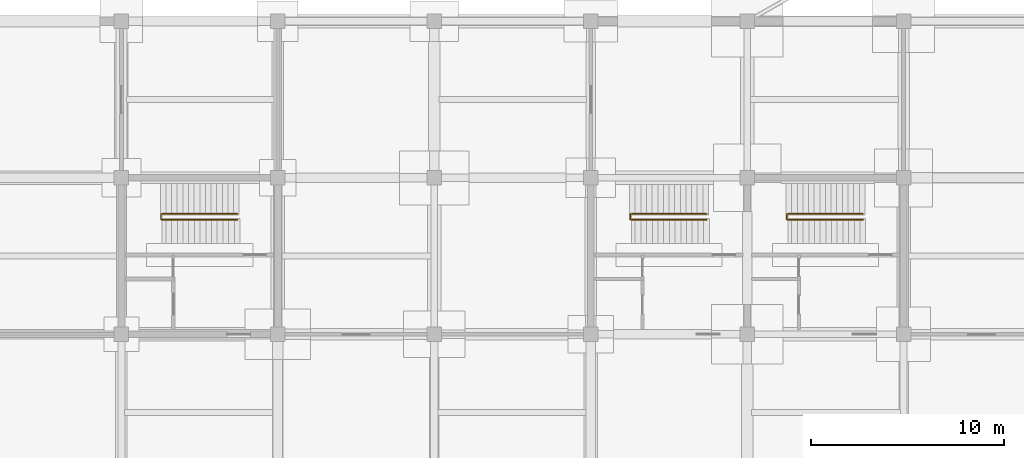
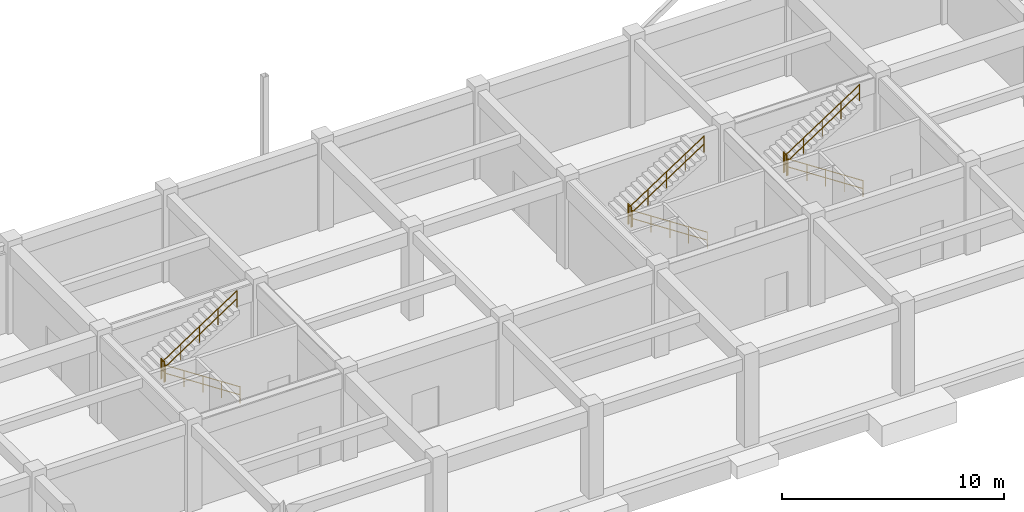
# One storey, part 63 of 67: 9 railings.
"""IFC4 building model written with IfcOpenShell, lengths in metres."""

from ifc_helpers import new_model, si_unit, direction, frame, origin, origin_2d, place, context, subcontext, project, spatial, circle, extrude, material, type_object, element, save


model = new_model("IFC4")

# Units and contexts
model_context = context("Model", 3, precision=1e-05, world=origin(), true_north=direction((0.0, 1.0)))
body_context = subcontext(model_context, "Body", "Model", "MODEL_VIEW")
ifc_project = project(units=[si_unit("LENGTHUNIT", "METRE"), si_unit("AREAUNIT", "SQUARE_METRE"), si_unit("VOLUMEUNIT", "CUBIC_METRE"), si_unit("PLANEANGLEUNIT", "RADIAN"), si_unit("MASSUNIT", "GRAM", prefix="KILO")], contexts=[model_context])

# Site, building, storey
site_placement = place(None, origin())
site = spatial("IfcSite", under=ifc_project, at=site_placement, CompositionType="ELEMENT")
building_placement = place(site_placement, origin())
building = spatial("IfcBuilding", under=site, at=building_placement, Name="Vaudrelin Polytechnic", CompositionType="ELEMENT")
storey_placement = place(building_placement, frame((0.0, 0.0, -5.10009765625)))
storey = spatial("IfcBuildingStorey", under=building, at=storey_placement, Name="B1", CompositionType="ELEMENT", Elevation=-5.10009765625)

# Railings
ifc_material = material(Name="Brushed stainless steel AISI 304", Category="steel")
railing_type_1 = type_object("IfcRailingType", Name="RAL-GR-INT", PredefinedType="GUARDRAIL", material=ifc_material)
for number, where, name in (
    (1, (83.050048828125, 111.239990234375, 2.550048828125), "ST-02-B1 landing well guardrail"),
    (2, (115.449951171875, 111.239990234375, 2.550048828125), "ST-10-B1 landing well guardrail"),
    (3, (107.35009765625, 111.239990234375, 2.550048828125), "ST-11-B1 landing well guardrail"),
):
    element("IfcRailing", number, at=place(storey_placement, frame(where)), inside=storey, type_object=railing_type_1, Name=name, PredefinedType="GUARDRAIL", context=body_context, shape_type="SweptSolid", body=[
        extrude(circle(Radius=0.02392578125, at=origin_2d()), frame((0.0, 0.023193359375, 1.09619140625), z_axis=(0.0, 1.0, 0.0), x_axis=(-1.0, 0.0, 0.0)), (0.0, 0.0, 1.0), 0.23388671875),
        extrude(circle(Radius=0.02392578125, at=origin_2d()), frame((0.0, 0.023193359375, 0.56005859375), z_axis=(0.0, 1.0, 0.0), x_axis=(-1.0, 0.0, 0.0)), (0.0, 0.0, 1.0), 0.23388671875),
        extrude(circle(Radius=0.02099609375, at=origin_2d()), origin(), (0.0, 0.0, 1.0), 1.1201171875),
        extrude(circle(Radius=0.02099609375, at=origin_2d()), frame((0.0, 0.280029296875, 0.0)), (0.0, 0.0, 1.0), 1.1201171875),
    ])
railing_type_2 = type_object("IfcRailingType", Name="RAL-HR-STR", PredefinedType="HANDRAIL", material=ifc_material)
railing_1_placement = place(storey_placement, frame((87.0, 111.22998046875, 0.0)))
element("IfcRailing", 4, at=railing_1_placement, inside=storey, type_object=railing_type_2, Name="ST-02-B1 flight 1 handrail", PredefinedType="HANDRAIL", context=body_context, shape_type="SweptSolid", body=[
    extrude(circle(Radius=0.02392578125, at=origin_2d()), frame((-0.019287109375, 0.0, 0.908447265625), z_axis=(-0.83631341276, 0.0, 0.548251653566), x_axis=(0.0, -1.0, 0.0)), (0.0, 0.0, 1.0), 4.60498046875),
    extrude(circle(Radius=0.02392578125, at=origin_2d()), frame((-0.019287109375, 0.0, 0.47265625), z_axis=(-0.83631341276, 0.0, 0.548251653566), x_axis=(0.0, -1.0, 0.0)), (0.0, 0.0, 1.0), 4.60498046875),
    extrude(circle(Radius=0.02099609375, at=origin_2d()), origin(), (0.0, 0.0, 1.0), 0.919921875),
    extrude(circle(Radius=0.02099609375, at=origin_2d()), frame((-0.972412109375, 0.0, 0.637451171875)), (0.0, 0.0, 1.0), 0.919921875),
    extrude(circle(Radius=0.02099609375, at=origin_2d()), frame((-1.94482421875, 0.0, 1.27490234375)), (0.0, 0.0, 1.0), 0.919921875),
    extrude(circle(Radius=0.02099609375, at=origin_2d()), frame((-2.91748046875, 0.0, 1.91259765625)), (0.0, 0.0, 1.0), 0.919921875),
    extrude(circle(Radius=0.02099609375, at=origin_2d()), frame((-3.889892578125, 0.0, 2.550048828125)), (0.0, 0.0, 1.0), 0.919921875),
])
railing_2_placement = place(storey_placement, frame((83.110107421875, 111.530029296875, 2.550048828125)))
element("IfcRailing", 5, at=railing_2_placement, inside=storey, type_object=railing_type_2, Name="ST-02-B1 flight 2 handrail", PredefinedType="HANDRAIL", context=body_context, shape_type="SweptSolid", body=[
    extrude(circle(Radius=0.02392578125, at=origin_2d()), frame((0.019287109375, 0.0, 0.908447265625), z_axis=(0.83631341276, 0.0, 0.548251653566), x_axis=(0.0, 1.0, 0.0)), (0.0, 0.0, 1.0), 4.60498046875),
    extrude(circle(Radius=0.02392578125, at=origin_2d()), frame((0.019287109375, 0.0, 0.47265625), z_axis=(0.83631341276, 0.0, 0.548251653566), x_axis=(0.0, 1.0, 0.0)), (0.0, 0.0, 1.0), 4.60498046875),
    extrude(circle(Radius=0.02099609375, at=origin_2d()), origin(), (0.0, 0.0, 1.0), 0.919921875),
    extrude(circle(Radius=0.02099609375, at=origin_2d()), frame((0.972412109375, 0.0, 0.637451171875)), (0.0, 0.0, 1.0), 0.919921875),
    extrude(circle(Radius=0.02099609375, at=origin_2d()), frame((1.94482421875, 0.0, 1.27490234375)), (0.0, 0.0, 1.0), 0.919921875),
    extrude(circle(Radius=0.02099609375, at=origin_2d()), frame((2.91748046875, 0.0, 1.91259765625)), (0.0, 0.0, 1.0), 0.919921875),
    extrude(circle(Radius=0.02099609375, at=origin_2d()), frame((3.889892578125, 0.0, 2.550048828125)), (0.0, 0.0, 1.0), 0.919921875),
])
railing_3_placement = place(storey_placement, frame((119.39990234375, 111.22998046875, 0.0)))
element("IfcRailing", 6, at=railing_3_placement, inside=storey, type_object=railing_type_2, Name="ST-10-B1 flight 1 handrail", PredefinedType="HANDRAIL", context=body_context, shape_type="SweptSolid", body=[
    extrude(circle(Radius=0.02392578125, at=origin_2d()), frame((-0.019287109375, 0.0, 0.908447265625), z_axis=(-0.83631341276, 0.0, 0.548251653566), x_axis=(0.0, -1.0, 0.0)), (0.0, 0.0, 1.0), 4.60498046875),
    extrude(circle(Radius=0.02392578125, at=origin_2d()), frame((-0.019287109375, 0.0, 0.47265625), z_axis=(-0.83631341276, 0.0, 0.548251653566), x_axis=(0.0, -1.0, 0.0)), (0.0, 0.0, 1.0), 4.60498046875),
    extrude(circle(Radius=0.02099609375, at=origin_2d()), origin(), (0.0, 0.0, 1.0), 0.919921875),
    extrude(circle(Radius=0.02099609375, at=origin_2d()), frame((-0.972412109375, 0.0, 0.637451171875)), (0.0, 0.0, 1.0), 0.919921875),
    extrude(circle(Radius=0.02099609375, at=origin_2d()), frame((-1.94482421875, 0.0, 1.27490234375)), (0.0, 0.0, 1.0), 0.919921875),
    extrude(circle(Radius=0.02099609375, at=origin_2d()), frame((-2.91748046875, 0.0, 1.91259765625)), (0.0, 0.0, 1.0), 0.919921875),
    extrude(circle(Radius=0.02099609375, at=origin_2d()), frame((-3.889892578125, 0.0, 2.550048828125)), (0.0, 0.0, 1.0), 0.919921875),
])
railing_4_placement = place(storey_placement, frame((115.510009765625, 111.530029296875, 2.550048828125)))
element("IfcRailing", 7, at=railing_4_placement, inside=storey, type_object=railing_type_2, Name="ST-10-B1 flight 2 handrail", PredefinedType="HANDRAIL", context=body_context, shape_type="SweptSolid", body=[
    extrude(circle(Radius=0.02392578125, at=origin_2d()), frame((0.019287109375, 0.0, 0.908447265625), z_axis=(0.83631341276, 0.0, 0.548251653566), x_axis=(0.0, 1.0, 0.0)), (0.0, 0.0, 1.0), 4.60498046875),
    extrude(circle(Radius=0.02392578125, at=origin_2d()), frame((0.019287109375, 0.0, 0.47265625), z_axis=(0.83631341276, 0.0, 0.548251653566), x_axis=(0.0, 1.0, 0.0)), (0.0, 0.0, 1.0), 4.60498046875),
    extrude(circle(Radius=0.02099609375, at=origin_2d()), origin(), (0.0, 0.0, 1.0), 0.919921875),
    extrude(circle(Radius=0.02099609375, at=origin_2d()), frame((0.972412109375, 0.0, 0.637451171875)), (0.0, 0.0, 1.0), 0.919921875),
    extrude(circle(Radius=0.02099609375, at=origin_2d()), frame((1.94482421875, 0.0, 1.27490234375)), (0.0, 0.0, 1.0), 0.919921875),
    extrude(circle(Radius=0.02099609375, at=origin_2d()), frame((2.91748046875, 0.0, 1.91259765625)), (0.0, 0.0, 1.0), 0.919921875),
    extrude(circle(Radius=0.02099609375, at=origin_2d()), frame((3.889892578125, 0.0, 2.550048828125)), (0.0, 0.0, 1.0), 0.919921875),
])
railing_5_placement = place(storey_placement, frame((111.300048828125, 111.22998046875, 0.0)))
element("IfcRailing", 8, at=railing_5_placement, inside=storey, type_object=railing_type_2, Name="ST-11-B1 flight 1 handrail", PredefinedType="HANDRAIL", context=body_context, shape_type="SweptSolid", body=[
    extrude(circle(Radius=0.02392578125, at=origin_2d()), frame((-0.019287109375, 0.0, 0.908447265625), z_axis=(-0.836329188974, 0.0, 0.548227587476), x_axis=(0.0, -1.0, 0.0)), (0.0, 0.0, 1.0), 4.605224609375),
    extrude(circle(Radius=0.02392578125, at=origin_2d()), frame((-0.019287109375, 0.0, 0.47265625), z_axis=(-0.836329188974, 0.0, 0.548227587476), x_axis=(0.0, -1.0, 0.0)), (0.0, 0.0, 1.0), 4.605224609375),
    extrude(circle(Radius=0.02099609375, at=origin_2d()), origin(), (0.0, 0.0, 1.0), 0.919921875),
    extrude(circle(Radius=0.02099609375, at=origin_2d()), frame((-0.97265625, 0.0, 0.637451171875)), (0.0, 0.0, 1.0), 0.919921875),
    extrude(circle(Radius=0.02099609375, at=origin_2d()), frame((-1.945068359375, 0.0, 1.27490234375)), (0.0, 0.0, 1.0), 0.919921875),
    extrude(circle(Radius=0.02099609375, at=origin_2d()), frame((-2.91748046875, 0.0, 1.91259765625)), (0.0, 0.0, 1.0), 0.919921875),
    extrude(circle(Radius=0.02099609375, at=origin_2d()), frame((-3.89013671875, 0.0, 2.550048828125)), (0.0, 0.0, 1.0), 0.919921875),
])
railing_6_placement = place(storey_placement, frame((107.409912109375, 111.530029296875, 2.550048828125)))
element("IfcRailing", 9, at=railing_6_placement, inside=storey, type_object=railing_type_2, Name="ST-11-B1 flight 2 handrail", PredefinedType="HANDRAIL", context=body_context, shape_type="SweptSolid", body=[
    extrude(circle(Radius=0.02392578125, at=origin_2d()), frame((0.019287109375, 0.0, 0.908447265625), z_axis=(0.836329188974, 0.0, 0.548227587476), x_axis=(0.0, 1.0, 0.0)), (0.0, 0.0, 1.0), 4.605224609375),
    extrude(circle(Radius=0.02392578125, at=origin_2d()), frame((0.019287109375, 0.0, 0.47265625), z_axis=(0.836329188974, 0.0, 0.548227587476), x_axis=(0.0, 1.0, 0.0)), (0.0, 0.0, 1.0), 4.605224609375),
    extrude(circle(Radius=0.02099609375, at=origin_2d()), origin(), (0.0, 0.0, 1.0), 0.919921875),
    extrude(circle(Radius=0.02099609375, at=origin_2d()), frame((0.97265625, 0.0, 0.637451171875)), (0.0, 0.0, 1.0), 0.919921875),
    extrude(circle(Radius=0.02099609375, at=origin_2d()), frame((1.945068359375, 0.0, 1.27490234375)), (0.0, 0.0, 1.0), 0.919921875),
    extrude(circle(Radius=0.02099609375, at=origin_2d()), frame((2.91748046875, 0.0, 1.91259765625)), (0.0, 0.0, 1.0), 0.919921875),
    extrude(circle(Radius=0.02099609375, at=origin_2d()), frame((3.89013671875, 0.0, 2.550048828125)), (0.0, 0.0, 1.0), 0.919921875),
])

save(model, "model.ifc")
